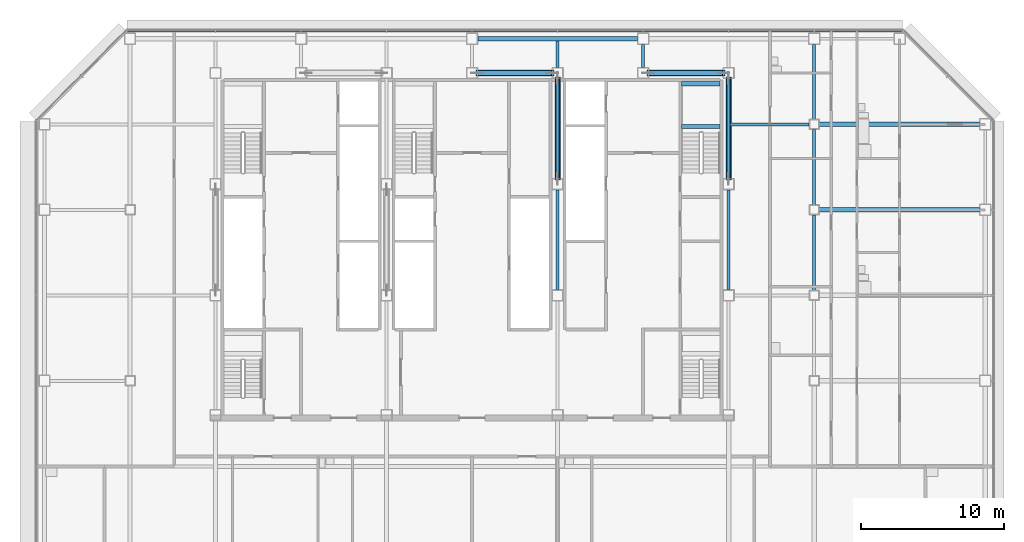
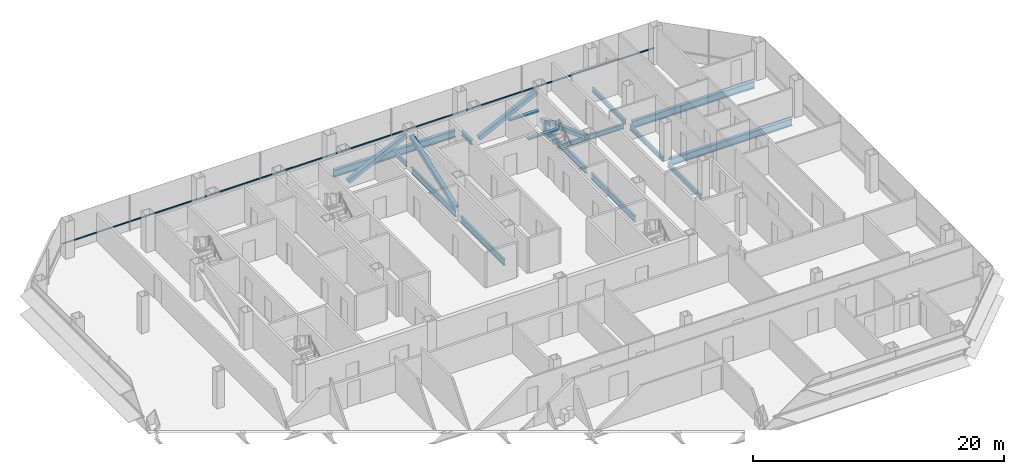
# One storey, part 13 of 25: 15 beams, 5 members, 1 element without a shape of its own.
"""IFC4 building model written with IfcOpenShell, lengths in metres."""

import ifcopenshell
import ifcopenshell.guid

model = None  # the IFC model being written
_history = None  # IfcOwnerHistory: only IFC2X3 demands one
_inside = {}  # id of a spatial element -> (the spatial element, [elements in it])
_under = {}  # id of a project, library or spatial element -> (it, [spatial elements below it])
_declared = {}  # id of a project -> (the project, [libraries it declares])
_typed = {}  # id of a type object -> (the type object, [elements of that type])
_made_of = {}  # id of a material, layer set ... -> (it, [elements and type objects made of it])


def new_model(schema):
    """Start an empty IFC model of exactly this schema.

    Asked for "IFC4X3", IfcOpenShell would pick the latest addendum, in which some entities
    have other attributes; the version numbers below select the first issue.
    IFC2X3 requires an IfcOwnerHistory on every rooted entity: one is made here for all.
    """
    global model, _history
    if schema == "IFC4X3":
        model = ifcopenshell.file(schema_version=(4, 3, 0, 0))
    else:
        model = ifcopenshell.file(schema=schema)
    _inside.clear()
    _under.clear()
    _declared.clear()
    _typed.clear()
    _made_of.clear()
    _history = None
    if model.schema == "IFC2X3":
        org = make("IfcOrganization", Name="unknown")
        user = make(
            "IfcPersonAndOrganization",
            ThePerson=make("IfcPerson", FamilyName="unknown"),
            TheOrganization=org,
        )
        app = make(
            "IfcApplication",
            ApplicationDeveloper=org,
            Version="unknown",
            ApplicationFullName="unknown",
            ApplicationIdentifier="unknown",
        )
        _history = make(
            "IfcOwnerHistory",
            OwningUser=user,
            OwningApplication=app,
            ChangeAction="ADDED",
            CreationDate=0,
        )
    return model


def make(cls, **values):
    """One entity of the class cls with the attributes given. An attribute that is None is left unset."""
    return model.create_entity(
        cls, **{name: value for name, value in values.items() if value is not None}
    )


def rooted(cls, **values):
    """An entity with a GlobalId (a new one), such as an element, a storey or a relation."""
    return make(cls, GlobalId=ifcopenshell.guid.new(), OwnerHistory=_history, **values)


def si_unit(unit_type, name, prefix=None):
    """IfcSIUnit, for example si_unit("LENGTHUNIT", "METRE", prefix="MILLI")."""
    return make("IfcSIUnit", UnitType=unit_type, Prefix=prefix, Name=name)


def assignment(units):
    """IfcUnitAssignment: the units of a project."""
    return None if units is None else make("IfcUnitAssignment", Units=units)


def point(xyz):
    """IfcCartesianPoint."""
    return None if xyz is None else make("IfcCartesianPoint", Coordinates=xyz)


def direction(xyz):
    """IfcDirection."""
    return None if xyz is None else make("IfcDirection", DirectionRatios=xyz)


def frame(location, z_axis=None, x_axis=None):
    """IfcAxis2Placement3D, a coordinate frame: its origin and axes. An axis left out is left unset."""
    return make(
        "IfcAxis2Placement3D",
        Location=point(location),
        Axis=direction(z_axis),
        RefDirection=direction(x_axis),
    )


def frame_2d(location, x_axis=None):
    """IfcAxis2Placement2D, a coordinate frame in the plane: its origin and x axis."""
    return make(
        "IfcAxis2Placement2D", Location=point(location), RefDirection=direction(x_axis)
    )


def origin():
    """The frame at (0, 0, 0) with its axes left unset."""
    return frame((0.0, 0.0, 0.0))


def origin_2d():
    """The frame at (0, 0) in the plane with its x axis left unset."""
    return frame_2d((0.0, 0.0))


def place(relative_to, where):
    """IfcLocalPlacement: puts the frame where relative to a parent placement (None: the world)."""
    return make(
        "IfcLocalPlacement", PlacementRelTo=relative_to, RelativePlacement=where
    )


def context(
    kind, dimensions, precision=None, world=None, true_north=None, identifier=None
):
    """IfcGeometricRepresentationContext, for example the 3D "Model" context."""
    return make(
        "IfcGeometricRepresentationContext",
        ContextIdentifier=identifier,
        ContextType=kind,
        CoordinateSpaceDimension=dimensions,
        Precision=precision,
        WorldCoordinateSystem=world,
        TrueNorth=true_north,
    )


def subcontext(parent, identifier, kind, view, scale=None):
    """IfcGeometricRepresentationSubContext, for example "Body" below "Model"."""
    return make(
        "IfcGeometricRepresentationSubContext",
        ContextIdentifier=identifier,
        ContextType=kind,
        ParentContext=parent,
        TargetScale=scale,
        TargetView=view,
    )


def project(units=None, contexts=None):
    """IfcProject with its units and contexts."""
    return rooted(
        "IfcProject",
        Name="project",
        RepresentationContexts=contexts,
        UnitsInContext=assignment(units),
    )


def spatial(cls, under=None, at=None, **own):
    """A site, building, storey or space (cls), placed at a placement, below another one or the project."""
    s = rooted(cls, ObjectPlacement=at, **own)
    if under is not None:
        _under.setdefault(under.id(), (under, []))[1].append(s)
    return s


def profile(cls, at=None, kind="AREA", **sizes):
    """A parametric profile (cls). Its sizes go by their IFC names, for example OverallWidth=200.0."""
    return make(cls, ProfileType=kind, Position=at, **sizes)


def rectangle(**sizes):
    """IfcRectangleProfileDef."""
    return profile("IfcRectangleProfileDef", **sizes)


def hollow_rectangle(**sizes):
    """IfcRectangleHollowProfileDef."""
    return profile("IfcRectangleHollowProfileDef", **sizes)


def i_section(**sizes):
    """IfcIShapeProfileDef."""
    return profile("IfcIShapeProfileDef", **sizes)


def extrude(swept, where, along, depth):
    """IfcExtrudedAreaSolid: the profile swept, set in the frame where, extruded along a direction by depth."""
    return make(
        "IfcExtrudedAreaSolid",
        SweptArea=swept,
        Position=where,
        ExtrudedDirection=direction(along),
        Depth=depth,
    )


def shape(context_of_items, identifier, shape_type, items):
    """IfcShapeRepresentation: the items that make up one representation, for example the "Body"."""
    return make(
        "IfcShapeRepresentation",
        ContextOfItems=context_of_items,
        RepresentationIdentifier=identifier,
        RepresentationType=shape_type,
        Items=items,
    )


def material(Name=None, Category=None):
    """IfcMaterial."""
    return make("IfcMaterial", Name=Name, Category=Category)


def material_profile(
    of_material, cross_section, Name=None, Category=None, Priority=None
):
    """IfcMaterialProfile: a cross section and its material."""
    return make(
        "IfcMaterialProfile",
        Name=Name,
        Material=of_material,
        Profile=cross_section,
        Priority=Priority,
        Category=Category,
    )


def profile_set(profiles, Name=None, composite=None):
    """IfcMaterialProfileSet."""
    return make(
        "IfcMaterialProfileSet",
        Name=Name,
        MaterialProfiles=profiles,
        CompositeProfile=composite,
    )


def made_of(thing, what):
    """Note that an element or type object is made of a material, layer set ...; save() writes the relation."""
    if what is not None:
        _made_of.setdefault(what.id(), (what, []))[1].append(thing)
    return thing


def type_object(cls, material=None, **own):
    """A type object (cls), such as IfcWallType, which elements share."""
    return made_of(rooted(cls, **own), material)


def element(
    cls,
    number,
    at=None,
    inside=None,
    cuts=None,
    type_object=None,
    material=None,
    context=None,
    identifier="Body",
    shape_type=None,
    held_by="IfcProductDefinitionShape",
    body=None,
    shapes=None,
    **own,
):
    """One element of the class cls, such as IfcWall. Its Tag is "e" and its number.

    at: its placement. inside: the storey or other place that contains it. cuts: it is an
    opening in that element (IfcRelVoidsElement). A single representation is given by context,
    identifier, shape_type and body (its items); several are given by shapes. held_by: the class
    of the entity that holds the representations. save() writes the other relations.
    """
    e = rooted(cls, Tag="e%d" % number, ObjectPlacement=at, **own)
    if body is not None:
        shapes = [shape(context, identifier, shape_type, body)]
    if shapes is not None:
        e.Representation = make(held_by, Representations=shapes)
    if inside is not None:
        _inside.setdefault(inside.id(), (inside, []))[1].append(e)
    if cuts is not None:
        rooted(
            "IfcRelVoidsElement", RelatingBuildingElement=cuts, RelatedOpeningElement=e
        )
    if type_object is not None:
        _typed.setdefault(type_object.id(), (type_object, []))[1].append(e)
    return made_of(e, material)


def aggregate(whole, parts):
    """IfcRelAggregates: a whole, such as a stair, and the parts it consists of."""
    return rooted("IfcRelAggregates", RelatingObject=whole, RelatedObjects=parts)


def save(model, path):
    """Write the relations noted so far, then the file.

    IfcRelAggregates (storeys below a building ...), IfcRelContainedInSpatialStructure (elements
    in a storey), IfcRelDefinesByType, IfcRelAssociatesMaterial and IfcRelDeclares: one each for
    every whole, place, type object, material and project.
    """
    for whole, parts in _under.values():
        aggregate(whole, parts)
    for where, things in _inside.values():
        rooted(
            "IfcRelContainedInSpatialStructure",
            RelatedElements=things,
            RelatingStructure=where,
        )
    for kind, things in _typed.values():
        rooted("IfcRelDefinesByType", RelatedObjects=things, RelatingType=kind)
    for what, things in _made_of.values():
        rooted("IfcRelAssociatesMaterial", RelatedObjects=things, RelatingMaterial=what)
    for by, libraries in _declared.values():
        rooted("IfcRelDeclares", RelatingContext=by, RelatedDefinitions=libraries)
    model.write(path)


model = new_model("IFC4")

# Units and contexts
model_context = context("Model", 3, precision=1e-05, world=origin(), true_north=direction((0.0, 1.0)))
body_context = subcontext(model_context, "Body", "Model", "MODEL_VIEW")
ifc_project = project(units=[si_unit("LENGTHUNIT", "METRE"), si_unit("AREAUNIT", "SQUARE_METRE"), si_unit("VOLUMEUNIT", "CUBIC_METRE"), si_unit("PLANEANGLEUNIT", "RADIAN"), si_unit("MASSUNIT", "GRAM", prefix="KILO")], contexts=[model_context])

# Site, building, storey
site_placement = place(None, origin())
site = spatial("IfcSite", under=ifc_project, at=site_placement, CompositionType="ELEMENT")
building_placement = place(site_placement, origin())
building = spatial("IfcBuilding", under=site, at=building_placement, Name="Sorahane Residences", CompositionType="ELEMENT")
storey_placement = place(building_placement, frame((0.0, 0.0, 143.800048828125)))
storey = spatial("IfcBuildingStorey", under=building, at=storey_placement, Name="L32", CompositionType="ELEMENT", Elevation=143.800048828125)

# Members
ifc_material_1 = material(Name="Steel Q355B", Category="steel")
ifc_material_profile_1 = material_profile(ifc_material_1, hollow_rectangle(XDim=0.39990234375, YDim=0.39990234375, WallThickness=0.02001953125, InnerFilletRadius=0.010009765625, OuterFilletRadius=0.030029296875, at=origin_2d()), Name="RHS 400x400x20")
ifc_profile_set_1 = profile_set([ifc_material_profile_1], Name="Steel Q355B")
member_type_1 = type_object("IfcMemberType", Name="Core brace RHS 400x400x20 Q355B", PredefinedType="BRACE", material=ifc_profile_set_1)
for number, where, z_axis, x_axis, name in (
    (1, (24.346923828125, 45.60009765625, 0.173583984375), (0.896480070819, 0.0, 0.443084058192), (0.0, 1.0, 0.0), "Core brace L32 y45.6-4"),
    (2, (36.346923828125, 45.60009765625, 0.173583984375), (0.896480070819, 0.0, 0.443084058192), (0.0, 1.0, 0.0), "Core brace L32 y45.6-6"),
):
    element("IfcMember", number, at=place(storey_placement, frame(where, z_axis=z_axis, x_axis=x_axis)), inside=storey, type_object=member_type_1, Name=name, PredefinedType="BRACE", context=body_context, shape_type="SweptSolid", body=[
        extrude(hollow_rectangle(XDim=0.39990234375, YDim=0.39990234375, WallThickness=0.02001953125, InnerFilletRadius=0.010009765625, OuterFilletRadius=0.030029296875, at=origin_2d()), origin(), (0.0, 0.0, 1.0), 5.9189453125),
    ])
for number, where, z_axis, x_axis, name in (
    (3, (42.0, 45.241455078125, 0.184814453125), (0.0, -0.938733651637, 0.344643484319), (1.0, 0.0, 0.0), "Core brace L32 x42-3"),
    (4, (30.0, 38.15869140625, 0.184814453125), (0.0, 0.938733651637, 0.344643484319), (-1.0, 0.0, 0.0), "Core brace L32 x30-2"),
):
    element("IfcMember", number, at=place(storey_placement, frame(where, z_axis=z_axis, x_axis=x_axis)), inside=storey, type_object=member_type_1, Name=name, PredefinedType="BRACE", context=body_context, shape_type="SweptSolid", body=[
        extrude(hollow_rectangle(XDim=0.39990234375, YDim=0.39990234375, WallThickness=0.02001953125, InnerFilletRadius=0.010009765625, OuterFilletRadius=0.030029296875, at=origin_2d()), origin(), (0.0, 0.0, 1.0), 7.544921875),
    ])

# Curtain wall, member
ifc_material_2 = material(Name="Dark low-e glass and black anodised aluminium", Category="aluminium")
curtain_wall_type = type_object("IfcCurtainWallType", Name="Curtain wall CW-1 Typical unitised wall", PredefinedType="NOTDEFINED", material=ifc_material_2)
curtain_wall_placement = place(storey_placement, origin())
curtain_wall = element("IfcCurtainWall", 5, at=curtain_wall_placement, inside=storey, type_object=curtain_wall_type, Name="CW-1 curtain wall L32 N1", PredefinedType="NOTDEFINED")
ifc_material_3 = material(Name="Black anodised aluminium", Category="aluminium")
ifc_material_profile_2 = material_profile(ifc_material_3, rectangle(XDim=0.10009765625, YDim=0.06005859375, at=origin_2d()), Name="Curtain wall transom CW-1 black anodised aluminium 60x100")
ifc_profile_set_2 = profile_set([ifc_material_profile_2], Name="Black anodised aluminium")
member_type_2 = type_object("IfcMemberType", Name="Curtain wall transom CW-1 black anodised aluminium 60x100", PredefinedType="USERDEFINED", material=ifc_profile_set_2)
member_placement = place(storey_placement, frame((54.198486328125, 48.530029296875, 0.89990234375), z_axis=(-1.0, 0.0, 0.0), x_axis=(0.0, -1.0, 0.0)))
member = element("IfcMember", 6, at=member_placement, type_object=member_type_2, Name="CW-1 transom L32 N1", ObjectType="TRANSOM", PredefinedType="USERDEFINED", context=body_context, shape_type="SweptSolid", body=[
    extrude(rectangle(XDim=0.10009765625, YDim=0.06005859375, at=origin_2d()), origin(), (0.0, 0.0, 1.0), 54.39697265625),
])
aggregate(curtain_wall, [member])

# Beams
ifc_material_4 = material(Name="Concrete C40", Category="concrete")
ifc_material_profile_3 = material_profile(ifc_material_4, rectangle(XDim=0.300048828125, YDim=0.139892578125, at=origin_2d()), Name="300x140")
ifc_profile_set_3 = profile_set([ifc_material_profile_3], Name="Concrete C40")
beam_type_1 = type_object("IfcBeamType", Name="RC landing beam 300 x 140 Concrete C40", PredefinedType="BEAM", material=ifc_profile_set_3)
for number, where, z_axis, x_axis, name in (
    (7, (38.699951171875, 41.85009765625, 1.530029296875), (1.0, 0.0, 0.0), (0.0, 1.0, 0.0), "Landing beam"),
    (8, (38.699951171875, 44.85009765625, 1.530029296875), (1.0, 0.0, 0.0), (0.0, 1.0, 0.0), "Landing beam"),
):
    element("IfcBeam", number, at=place(storey_placement, frame(where, z_axis=z_axis, x_axis=x_axis)), inside=storey, type_object=beam_type_1, Name=name, PredefinedType="BEAM", context=body_context, shape_type="SweptSolid", body=[
        extrude(rectangle(XDim=0.300048828125, YDim=0.139892578125, at=origin_2d()), origin(), (0.0, 0.0, 1.0), 2.699951171875),
    ])
ifc_material_5 = material(Name="Steel Q355B", Category="steel")
ifc_material_profile_4 = material_profile(ifc_material_5, i_section(OverallWidth=0.199951171875, OverallDepth=0.449951171875, WebThickness=0.009033203125, FlangeThickness=0.013916015625, FilletRadius=0.02001953125, at=origin_2d()), Name="HN 450x200x9x14")
ifc_profile_set_4 = profile_set([ifc_material_profile_4], Name="Steel Q355B")
beam_type_2 = type_object("IfcBeamType", Name="Steel floor beam HN 450x200x9x14 Q355B", PredefinedType="BEAM", material=ifc_profile_set_4)
beam_1_placement = place(storey_placement, frame((30.0, 46.0, -0.405029296875), z_axis=(0.0, 1.0, 0.0), x_axis=(-1.0, 0.0, 0.0)))
element("IfcBeam", 9, at=beam_1_placement, inside=storey, type_object=beam_type_2, Name="Beam L32 049", PredefinedType="BEAM", context=body_context, shape_type="SweptSolid", body=[
    extrude(i_section(OverallWidth=0.199951171875, OverallDepth=0.449951171875, WebThickness=0.009033203125, FlangeThickness=0.013916015625, FilletRadius=0.02001953125, at=origin_2d()), origin(), (0.0, 0.0, 1.0), 1.85009765625),
])
beam_2_placement = place(storey_placement, frame((36.0, 46.0, -0.405029296875), z_axis=(0.0, 1.0, 0.0), x_axis=(-1.0, 0.0, 0.0)))
element("IfcBeam", 10, at=beam_2_placement, inside=storey, type_object=beam_type_2, Name="Beam L32 051", PredefinedType="BEAM", context=body_context, shape_type="SweptSolid", body=[
    extrude(i_section(OverallWidth=0.199951171875, OverallDepth=0.449951171875, WebThickness=0.009033203125, FlangeThickness=0.013916015625, FilletRadius=0.02001953125, at=origin_2d()), origin(), (0.0, 0.0, 1.0), 1.60009765625),
])
for number, where, z_axis, x_axis, name in (
    (11, (48.0, 30.35009765625, -0.405029296875), (0.0, 1.0, 0.0), (-1.0, 0.0, 0.0), "Beam L32 061"),
    (12, (48.0, 36.35009765625, -0.405029296875), (0.0, 1.0, 0.0), (-1.0, 0.0, 0.0), "Beam L32 062"),
):
    element("IfcBeam", number, at=place(storey_placement, frame(where, z_axis=z_axis, x_axis=x_axis)), inside=storey, type_object=beam_type_2, Name=name, PredefinedType="BEAM", context=body_context, shape_type="SweptSolid", body=[
        extrude(i_section(OverallWidth=0.199951171875, OverallDepth=0.449951171875, WebThickness=0.009033203125, FlangeThickness=0.013916015625, FilletRadius=0.02001953125, at=origin_2d()), origin(), (0.0, 0.0, 1.0), 5.2998046875),
    ])
beam_3_placement = place(storey_placement, frame((48.0, 42.35009765625, -0.405029296875), z_axis=(0.0, 1.0, 0.0), x_axis=(-1.0, 0.0, 0.0)))
element("IfcBeam", 13, at=beam_3_placement, inside=storey, type_object=beam_type_2, Name="Beam L32 063", PredefinedType="BEAM", context=body_context, shape_type="SweptSolid", body=[
    extrude(i_section(OverallWidth=0.199951171875, OverallDepth=0.449951171875, WebThickness=0.009033203125, FlangeThickness=0.013916015625, FilletRadius=0.02001953125, at=origin_2d()), origin(), (0.0, 0.0, 1.0), 5.25),
])
beam_4_placement = place(storey_placement, frame((42.10009765625, 42.0, -0.405029296875), z_axis=(1.0, 0.0, 0.0), x_axis=(0.0, 1.0, 0.0)))
element("IfcBeam", 14, at=beam_4_placement, inside=storey, type_object=beam_type_2, Name="Beam L32 091", PredefinedType="BEAM", context=body_context, shape_type="SweptSolid", body=[
    extrude(i_section(OverallWidth=0.199951171875, OverallDepth=0.449951171875, WebThickness=0.009033203125, FlangeThickness=0.013916015625, FilletRadius=0.02001953125, at=origin_2d()), origin(), (0.0, 0.0, 1.0), 5.5498046875),
])
ifc_material_6 = material(Name="Steel Q355B", Category="steel")
ifc_material_profile_5 = material_profile(ifc_material_6, i_section(OverallWidth=0.199951171875, OverallDepth=0.60009765625, WebThickness=0.010986328125, FlangeThickness=0.01708984375, FilletRadius=0.02392578125, at=origin_2d()), Name="HN 600x200x11x17")
ifc_profile_set_5 = profile_set([ifc_material_profile_5], Name="Steel Q355B")
beam_type_3 = type_object("IfcBeamType", Name="Steel floor beam HN 600x200x11x17 Q355B", PredefinedType="BEAM", material=ifc_profile_set_5)
for number, where, z_axis, x_axis, name in (
    (15, (30.0, 30.39990234375, -0.47998046875), (0.0, 1.0, 0.0), (-1.0, 0.0, 0.0), "Beam L32 047"),
    (16, (30.0, 38.199951171875, -0.47998046875), (0.0, 1.0, 0.0), (-1.0, 0.0, 0.0), "Beam L32 048"),
    (17, (42.0, 30.39990234375, -0.47998046875), (0.0, 1.0, 0.0), (-1.0, 0.0, 0.0), "Beam L32 055"),
    (18, (42.0, 38.199951171875, -0.47998046875), (0.0, 1.0, 0.0), (-1.0, 0.0, 0.0), "Beam L32 056"),
):
    element("IfcBeam", number, at=place(storey_placement, frame(where, z_axis=z_axis, x_axis=x_axis)), inside=storey, type_object=beam_type_3, Name=name, PredefinedType="BEAM", context=body_context, shape_type="SweptSolid", body=[
        extrude(i_section(OverallWidth=0.199951171875, OverallDepth=0.60009765625, WebThickness=0.010986328125, FlangeThickness=0.01708984375, FilletRadius=0.02392578125, at=origin_2d()), origin(), (0.0, 0.0, 1.0), 7.0),
    ])
ifc_material_7 = material(Name="Steel Q355B", Category="steel")
ifc_material_profile_6 = material_profile(ifc_material_7, i_section(OverallWidth=0.300048828125, OverallDepth=0.699951171875, WebThickness=0.012939453125, FlangeThickness=0.02392578125, FilletRadius=0.028076171875, at=origin_2d()), Name="HN 700x300x13x24")
ifc_profile_set_6 = profile_set([ifc_material_profile_6], Name="Steel Q355B")
beam_type_4 = type_object("IfcBeamType", Name="Steel floor beam HN 700x300x13x24 Q355B", PredefinedType="BEAM", material=ifc_profile_set_6)
beam_5_placement = place(storey_placement, frame((48.35009765625, 36.0, -0.530029296875), z_axis=(1.0, 0.0, 0.0), x_axis=(0.0, 1.0, 0.0)))
element("IfcBeam", 19, at=beam_5_placement, inside=storey, type_object=beam_type_4, Name="Beam L32 014", PredefinedType="BEAM", context=body_context, shape_type="SweptSolid", body=[
    extrude(i_section(OverallWidth=0.300048828125, OverallDepth=0.699951171875, WebThickness=0.012939453125, FlangeThickness=0.02392578125, FilletRadius=0.028076171875, at=origin_2d()), origin(), (0.0, 0.0, 1.0), 11.25),
])
beam_6_placement = place(storey_placement, frame((24.39990234375, 48.0, -0.530029296875), z_axis=(1.0, 0.0, 0.0), x_axis=(0.0, 1.0, 0.0)))
element("IfcBeam", 20, at=beam_6_placement, inside=storey, type_object=beam_type_4, Name="Beam L32 017", PredefinedType="BEAM", context=body_context, shape_type="SweptSolid", body=[
    extrude(i_section(OverallWidth=0.300048828125, OverallDepth=0.699951171875, WebThickness=0.012939453125, FlangeThickness=0.02392578125, FilletRadius=0.028076171875, at=origin_2d()), origin(), (0.0, 0.0, 1.0), 11.2001953125),
])
beam_7_placement = place(storey_placement, frame((48.35009765625, 42.0, -0.530029296875), z_axis=(1.0, 0.0, 0.0), x_axis=(0.0, 1.0, 0.0)))
element("IfcBeam", 21, at=beam_7_placement, inside=storey, type_object=beam_type_4, Name="Beam L32 092", PredefinedType="BEAM", context=body_context, shape_type="SweptSolid", body=[
    extrude(i_section(OverallWidth=0.300048828125, OverallDepth=0.699951171875, WebThickness=0.012939453125, FlangeThickness=0.02392578125, FilletRadius=0.028076171875, at=origin_2d()), origin(), (0.0, 0.0, 1.0), 11.25),
])

save(model, "model.ifc")
